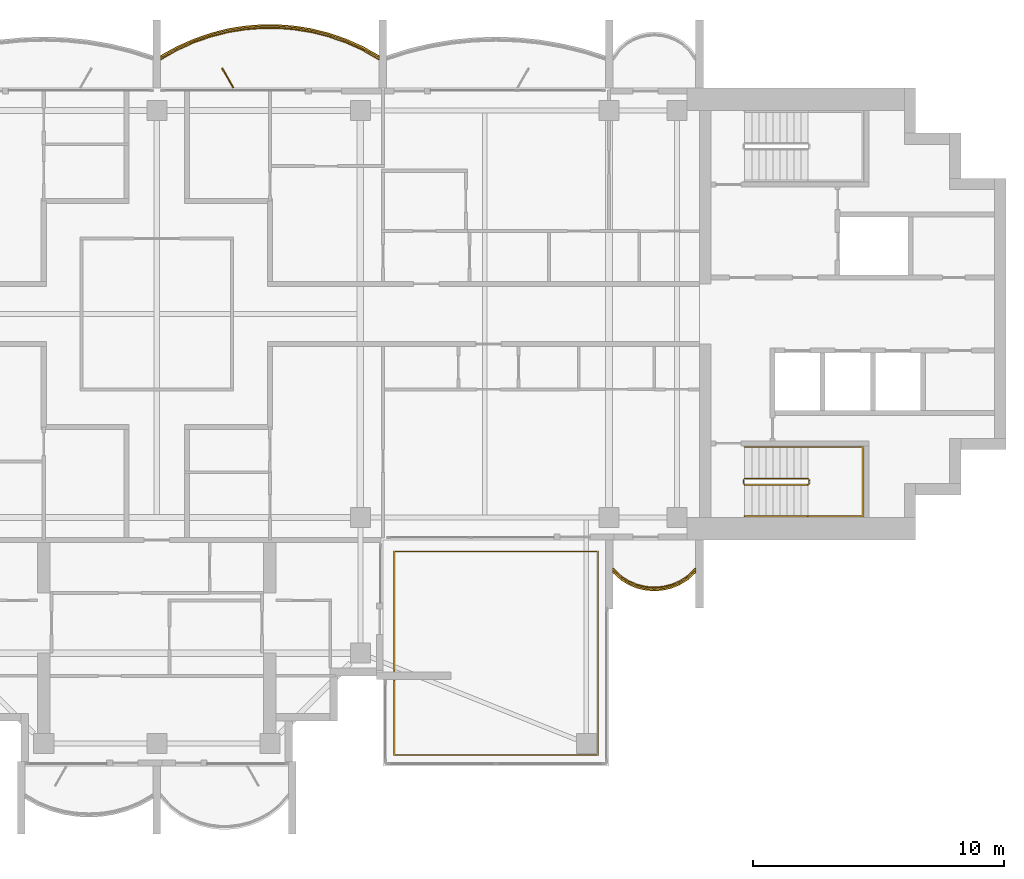
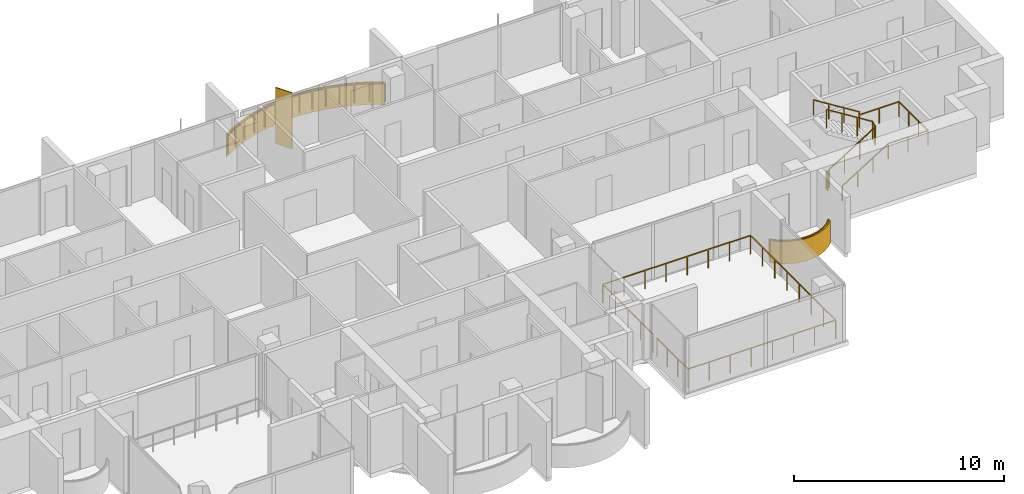
# One storey, part 15 of 16: 5 railings, 2 coverings, 1 shading device.
"""IFC4 building model written with IfcOpenShell, lengths in metres."""

from ifc_helpers import new_model, si_unit, direction, frame, origin, origin_2d, place, context, subcontext, project, spatial, polyline, rectangle, outline, extrude, material, layer, layer_set, type_object, element, save


model = new_model("IFC4")

# Units and contexts
model_context = context("Model", 3, precision=1e-05, world=origin(), true_north=direction((0.0, 1.0)))
body_context = subcontext(model_context, "Body", "Model", "MODEL_VIEW")
ifc_project = project(units=[si_unit("LENGTHUNIT", "METRE"), si_unit("AREAUNIT", "SQUARE_METRE"), si_unit("VOLUMEUNIT", "CUBIC_METRE"), si_unit("PLANEANGLEUNIT", "RADIAN"), si_unit("MASSUNIT", "GRAM", prefix="KILO")], contexts=[model_context])

# Site, building, storey
site_placement = place(None, origin())
site = spatial("IfcSite", under=ifc_project, at=site_placement, CompositionType="ELEMENT")
building_placement = place(site_placement, origin())
building = spatial("IfcBuilding", under=site, at=building_placement, Name="Perihelion Cross Residences", CompositionType="ELEMENT")
storey_placement = place(building_placement, frame((0.0, 0.0, 274.5)))
storey = spatial("IfcBuildingStorey", under=building, at=storey_placement, Name="L70", CompositionType="ELEMENT", Elevation=274.5)

# Coverings
ifc_material_1 = material(Name="Bronze anodised aluminium", Category="aluminium")
ifc_layer_1 = layer(ifc_material_1, 0.070068359375)
ifc_layer_set_1 = layer_set([ifc_layer_1], Name="Balcony fascia 1300")
covering_type = type_object("IfcCoveringType", Name="Balcony fascia 1300", PredefinedType="CLADDING", material=ifc_layer_set_1)
covering_1_placement = place(storey_placement, frame((0.0, 0.0, -0.199951171875)))
element("IfcCovering", 1, at=covering_1_placement, inside=storey, type_object=covering_type, Name="Fascia BF1 L70 north side east bay 1", PredefinedType="CLADDING", context=body_context, shape_type="SweptSolid", body=[
    extrude(outline(polyline([(8.212158203125, 10.63916015625), (7.537353515625, 10.941650390625), (6.8623046875, 11.175048828125), (6.1875, 11.345947265625), (5.512451171875, 11.457763671875), (4.83740234375, 11.51318359375), (4.16259765625, 11.51318359375), (3.487548828125, 11.457763671875), (2.8125, 11.345947265625), (2.1376953125, 11.175048828125), (1.462646484375, 10.941650390625), (0.787841796875, 10.63916015625), (0.14990234375, 10.2802734375), (0.14990234375, 10.199951171875), (0.8193359375, 10.57666015625), (1.488525390625, 10.87646484375), (2.15771484375, 11.108154296875), (2.826904296875, 11.27734375), (3.49609375, 11.38818359375), (4.165283203125, 11.443115234375), (4.834716796875, 11.443115234375), (5.50390625, 11.38818359375), (6.173095703125, 11.27734375), (6.84228515625, 11.108154296875), (7.511474609375, 10.87646484375), (8.1806640625, 10.57666015625), (8.85009765625, 10.199951171875), (8.85009765625, 10.2802734375), (8.212158203125, 10.63916015625)])), origin(), (0.0, 0.0, 1.0), 1.300048828125),
])
covering_2_placement = place(storey_placement, frame((0.0, 0.0, -0.199951171875)))
element("IfcCovering", 2, at=covering_2_placement, inside=storey, type_object=covering_type, Name="Fascia BF1 L70 east side south bay 2", PredefinedType="CLADDING", context=body_context, shape_type="SweptSolid", body=[
    extrude(outline(polyline([(18.4375, -10.56298828125), (18.778076171875, -10.77587890625), (19.11865234375, -10.914794921875), (19.45947265625, -10.994140625), (19.800048828125, -11.02001953125), (20.140625, -10.994140625), (20.481201171875, -10.914794921875), (20.82177734375, -10.77587890625), (21.16259765625, -10.56298828125), (21.449951171875, -10.295654296875), (21.449951171875, -10.199951171875), (21.1201171875, -10.507568359375), (20.7900390625, -10.71337890625), (20.4599609375, -10.84814453125), (20.1298828125, -10.925048828125), (19.800048828125, -10.949951171875), (19.469970703125, -10.925048828125), (19.139892578125, -10.84814453125), (18.81005859375, -10.71337890625), (18.47998046875, -10.507568359375), (18.14990234375, -10.199951171875), (18.14990234375, -10.295654296875), (18.4375, -10.56298828125)])), origin(), (0.0, 0.0, 1.0), 1.300048828125),
])

# Railings
ifc_material_2 = material(Name="Bronze anodised aluminium", Category="aluminium")
railing_type_1 = type_object("IfcRailingType", Name="Balcony guard 1100", PredefinedType="GUARDRAIL", material=ifc_material_2)
railing_1_placement = place(storey_placement, frame((8.824951171875, 10.139892578125, 0.0)))
element("IfcRailing", 3, at=railing_1_placement, inside=storey, type_object=railing_type_1, Name="Guard GU1 L70 north side east bay 1 balcony", PredefinedType="GUARDRAIL", context=body_context, shape_type="SweptSolid", body=[
    extrude(rectangle(XDim=0.048095703125, YDim=0.048095703125, at=origin_2d()), frame((0.0, 0.0, 1.076171875), z_axis=(-0.863125740505, 0.504989065305, 0.0), x_axis=(-0.504989065305, -0.863125740505, 0.0)), (0.0, 0.0, 1.0), 0.746337890625),
    extrude(rectangle(XDim=0.048095703125, YDim=0.048095703125, at=origin_2d()), frame((-0.644287109375, 0.376953125, 1.076171875), z_axis=(-0.912723499295, 0.408577794103, 0.0), x_axis=(-0.408577794103, -0.912723499295, 0.0)), (0.0, 0.0, 1.0), 0.733154296875),
    extrude(rectangle(XDim=0.048095703125, YDim=0.048095703125, at=origin_2d()), frame((-1.3134765625, 0.676513671875, 1.076171875), z_axis=(-0.944965577734, 0.327169767701, 0.0), x_axis=(-0.327169767701, -0.944965577734, 0.0)), (0.0, 0.0, 1.0), 0.708251953125),
    extrude(rectangle(XDim=0.048095703125, YDim=0.048095703125, at=origin_2d()), frame((-1.982666015625, 0.908203125, 1.076171875), z_axis=(-0.96949408574, 0.245114703181, 0.0), x_axis=(-0.245114703181, -0.96949408574, 0.0)), (0.0, 0.0, 1.0), 0.690185546875),
    extrude(rectangle(XDim=0.048095703125, YDim=0.048095703125, at=origin_2d()), frame((-2.65185546875, 1.077392578125, 1.076171875), z_axis=(-0.986500713816, 0.163756959061, 0.0), x_axis=(-0.163756959061, -0.986500713816, 0.0)), (0.0, 0.0, 1.0), 0.678466796875),
    extrude(rectangle(XDim=0.048095703125, YDim=0.048095703125, at=origin_2d()), frame((-3.321044921875, 1.1884765625, 1.076171875), z_axis=(-0.996677390684, 0.081450468994, 0.0), x_axis=(-0.081450468994, -0.996677390684, 0.0)), (0.0, 0.0, 1.0), 0.67138671875),
    extrude(rectangle(XDim=0.048095703125, YDim=0.048095703125, at=origin_2d()), frame((-3.990234375, 1.2431640625, 1.076171875), z_axis=(-1.0, 0.0, 0.0), x_axis=(0.0, -1.0, 0.0)), (0.0, 0.0, 1.0), 0.66943359375),
    extrude(rectangle(XDim=0.048095703125, YDim=0.048095703125, at=origin_2d()), frame((-4.65966796875, 1.2431640625, 1.076171875), z_axis=(-0.996677390684, -0.081450468994, 0.0), x_axis=(0.081450468994, -0.996677390684, 0.0)), (0.0, 0.0, 1.0), 0.67138671875),
    extrude(rectangle(XDim=0.048095703125, YDim=0.048095703125, at=origin_2d()), frame((-5.328857421875, 1.1884765625, 1.076171875), z_axis=(-0.986500713816, -0.163756959061, 0.0), x_axis=(0.163756959061, -0.986500713816, 0.0)), (0.0, 0.0, 1.0), 0.678466796875),
    extrude(rectangle(XDim=0.048095703125, YDim=0.048095703125, at=origin_2d()), frame((-5.998046875, 1.077392578125, 1.076171875), z_axis=(-0.96949408574, -0.245114703181, 0.0), x_axis=(0.245114703181, -0.96949408574, 0.0)), (0.0, 0.0, 1.0), 0.690185546875),
    extrude(rectangle(XDim=0.048095703125, YDim=0.048095703125, at=origin_2d()), frame((-6.667236328125, 0.908203125, 1.076171875), z_axis=(-0.944965577734, -0.327169767701, 0.0), x_axis=(0.327169767701, -0.944965577734, 0.0)), (0.0, 0.0, 1.0), 0.708251953125),
    extrude(rectangle(XDim=0.048095703125, YDim=0.048095703125, at=origin_2d()), frame((-7.33642578125, 0.676513671875, 1.076171875), z_axis=(-0.912723499295, -0.408577794103, 0.0), x_axis=(0.408577794103, -0.912723499295, 0.0)), (0.0, 0.0, 1.0), 0.733154296875),
    extrude(rectangle(XDim=0.048095703125, YDim=0.048095703125, at=origin_2d()), frame((-8.005615234375, 0.376953125, 1.076171875), z_axis=(-0.863125740505, -0.504989065305, 0.0), x_axis=(0.504989065305, -0.863125740505, 0.0)), (0.0, 0.0, 1.0), 0.746337890625),
    extrude(rectangle(XDim=0.0419921875, YDim=0.0419921875, at=origin_2d()), origin(), (0.0, 0.0, 1.0), 1.052001953125),
    extrude(rectangle(XDim=0.0419921875, YDim=0.0419921875, at=origin_2d()), frame((-0.644287109375, 0.376953125, 0.0)), (0.0, 0.0, 1.0), 1.052001953125),
    extrude(rectangle(XDim=0.0419921875, YDim=0.0419921875, at=origin_2d()), frame((-1.3134765625, 0.676513671875, 0.0)), (0.0, 0.0, 1.0), 1.052001953125),
    extrude(rectangle(XDim=0.0419921875, YDim=0.0419921875, at=origin_2d()), frame((-1.982666015625, 0.908203125, 0.0)), (0.0, 0.0, 1.0), 1.052001953125),
    extrude(rectangle(XDim=0.0419921875, YDim=0.0419921875, at=origin_2d()), frame((-2.65185546875, 1.077392578125, 0.0)), (0.0, 0.0, 1.0), 1.052001953125),
    extrude(rectangle(XDim=0.0419921875, YDim=0.0419921875, at=origin_2d()), frame((-3.321044921875, 1.1884765625, 0.0)), (0.0, 0.0, 1.0), 1.052001953125),
    extrude(rectangle(XDim=0.0419921875, YDim=0.0419921875, at=origin_2d()), frame((-3.990234375, 1.2431640625, 0.0)), (0.0, 0.0, 1.0), 1.052001953125),
    extrude(rectangle(XDim=0.0419921875, YDim=0.0419921875, at=origin_2d()), frame((-4.65966796875, 1.2431640625, 0.0)), (0.0, 0.0, 1.0), 1.052001953125),
    extrude(rectangle(XDim=0.0419921875, YDim=0.0419921875, at=origin_2d()), frame((-5.328857421875, 1.1884765625, 0.0)), (0.0, 0.0, 1.0), 1.052001953125),
    extrude(rectangle(XDim=0.0419921875, YDim=0.0419921875, at=origin_2d()), frame((-5.998046875, 1.077392578125, 0.0)), (0.0, 0.0, 1.0), 1.052001953125),
    extrude(rectangle(XDim=0.0419921875, YDim=0.0419921875, at=origin_2d()), frame((-6.667236328125, 0.908203125, 0.0)), (0.0, 0.0, 1.0), 1.052001953125),
    extrude(rectangle(XDim=0.0419921875, YDim=0.0419921875, at=origin_2d()), frame((-7.33642578125, 0.676513671875, 0.0)), (0.0, 0.0, 1.0), 1.052001953125),
    extrude(rectangle(XDim=0.0419921875, YDim=0.0419921875, at=origin_2d()), frame((-8.005615234375, 0.376953125, 0.0)), (0.0, 0.0, 1.0), 1.052001953125),
    extrude(rectangle(XDim=0.0419921875, YDim=0.0419921875, at=origin_2d()), frame((-8.64990234375, 0.0, 0.0)), (0.0, 0.0, 1.0), 1.052001953125),
])
railing_2_placement = place(storey_placement, frame((18.175048828125, -10.139892578125, 0.0)))
element("IfcRailing", 4, at=railing_2_placement, inside=storey, type_object=railing_type_1, Name="Guard GU1 L70 east side south bay 2 balcony", PredefinedType="GUARDRAIL", context=body_context, shape_type="SweptSolid", body=[
    extrude(rectangle(XDim=0.048095703125, YDim=0.048095703125, at=origin_2d()), frame((0.0, 0.0, 1.076171875), z_axis=(0.703999905859, -0.710200065158, 0.0), x_axis=(0.710200065158, 0.703999905859, 0.0)), (0.0, 0.0, 1.0), 0.43310546875),
    extrude(rectangle(XDim=0.048095703125, YDim=0.048095703125, at=origin_2d()), frame((0.304931640625, -0.3076171875, 1.076171875), z_axis=(0.848280173265, -0.529547682127, 0.0), x_axis=(0.529547682127, 0.848280173265, 0.0)), (0.0, 0.0, 1.0), 0.38916015625),
    extrude(rectangle(XDim=0.048095703125, YDim=0.048095703125, at=origin_2d()), frame((0.635009765625, -0.513671875, 1.076171875), z_axis=(0.925950379976, -0.377645195682, 0.0), x_axis=(0.377645195682, 0.925950379976, 0.0)), (0.0, 0.0, 1.0), 0.356201171875),
    extrude(rectangle(XDim=0.048095703125, YDim=0.048095703125, at=origin_2d()), frame((0.96484375, -0.648193359375, 1.076171875), z_axis=(0.97391554583, -0.226910796551, 0.0), x_axis=(0.226910796551, 0.97391554583, 0.0)), (0.0, 0.0, 1.0), 0.3388671875),
    extrude(rectangle(XDim=0.048095703125, YDim=0.048095703125, at=origin_2d()), frame((1.294921875, -0.72509765625, 1.076171875), z_axis=(0.997166208737, -0.075229995038, 0.0), x_axis=(0.075229995038, 0.997166208737, 0.0)), (0.0, 0.0, 1.0), 0.3310546875),
    extrude(rectangle(XDim=0.048095703125, YDim=0.048095703125, at=origin_2d()), frame((1.625, -0.75, 1.076171875), z_axis=(0.997162029931, 0.075285364214, 0.0), x_axis=(-0.075285364214, 0.997162029931, 0.0)), (0.0, 0.0, 1.0), 0.330810546875),
    extrude(rectangle(XDim=0.048095703125, YDim=0.048095703125, at=origin_2d()), frame((1.954833984375, -0.72509765625, 1.076171875), z_axis=(0.97391554583, 0.226910796551, 0.0), x_axis=(-0.226910796551, 0.97391554583, 0.0)), (0.0, 0.0, 1.0), 0.3388671875),
    extrude(rectangle(XDim=0.048095703125, YDim=0.048095703125, at=origin_2d()), frame((2.284912109375, -0.648193359375, 1.076171875), z_axis=(0.926048033295, 0.377405670374, 0.0), x_axis=(-0.377405670374, 0.926048033295, 0.0)), (0.0, 0.0, 1.0), 0.3564453125),
    extrude(rectangle(XDim=0.048095703125, YDim=0.048095703125, at=origin_2d()), frame((2.614990234375, -0.513671875, 1.076171875), z_axis=(0.848280173265, 0.529547682127, 0.0), x_axis=(-0.529547682127, 0.848280173265, 0.0)), (0.0, 0.0, 1.0), 0.38916015625),
    extrude(rectangle(XDim=0.048095703125, YDim=0.048095703125, at=origin_2d()), frame((2.945068359375, -0.3076171875, 1.076171875), z_axis=(0.703999905859, 0.710200065158, 0.0), x_axis=(-0.710200065158, 0.703999905859, 0.0)), (0.0, 0.0, 1.0), 0.43310546875),
    extrude(rectangle(XDim=0.0419921875, YDim=0.0419921875, at=origin_2d()), origin(), (0.0, 0.0, 1.0), 1.052001953125),
    extrude(rectangle(XDim=0.0419921875, YDim=0.0419921875, at=origin_2d()), frame((0.304931640625, -0.3076171875, 0.0)), (0.0, 0.0, 1.0), 1.052001953125),
    extrude(rectangle(XDim=0.0419921875, YDim=0.0419921875, at=origin_2d()), frame((0.635009765625, -0.513671875, 0.0)), (0.0, 0.0, 1.0), 1.052001953125),
    extrude(rectangle(XDim=0.0419921875, YDim=0.0419921875, at=origin_2d()), frame((0.96484375, -0.648193359375, 0.0)), (0.0, 0.0, 1.0), 1.052001953125),
    extrude(rectangle(XDim=0.0419921875, YDim=0.0419921875, at=origin_2d()), frame((1.294921875, -0.72509765625, 0.0)), (0.0, 0.0, 1.0), 1.052001953125),
    extrude(rectangle(XDim=0.0419921875, YDim=0.0419921875, at=origin_2d()), frame((1.625, -0.75, 0.0)), (0.0, 0.0, 1.0), 1.052001953125),
    extrude(rectangle(XDim=0.0419921875, YDim=0.0419921875, at=origin_2d()), frame((1.954833984375, -0.72509765625, 0.0)), (0.0, 0.0, 1.0), 1.052001953125),
    extrude(rectangle(XDim=0.0419921875, YDim=0.0419921875, at=origin_2d()), frame((2.284912109375, -0.648193359375, 0.0)), (0.0, 0.0, 1.0), 1.052001953125),
    extrude(rectangle(XDim=0.0419921875, YDim=0.0419921875, at=origin_2d()), frame((2.614990234375, -0.513671875, 0.0)), (0.0, 0.0, 1.0), 1.052001953125),
    extrude(rectangle(XDim=0.0419921875, YDim=0.0419921875, at=origin_2d()), frame((2.945068359375, -0.3076171875, 0.0)), (0.0, 0.0, 1.0), 1.052001953125),
    extrude(rectangle(XDim=0.0419921875, YDim=0.0419921875, at=origin_2d()), frame((3.25, 0.0, 0.0)), (0.0, 0.0, 1.0), 1.052001953125),
])
railing_3_placement = place(storey_placement, frame((9.449951171875, -14.2099609375, 0.0)))
element("IfcRailing", 5, at=railing_3_placement, inside=storey, type_object=railing_type_1, Name="Guard GU1 L70 pocket south-east 1", PredefinedType="GUARDRAIL", context=body_context, shape_type="SweptSolid", body=[
    extrude(rectangle(XDim=0.048095703125, YDim=0.048095703125, at=origin_2d()), frame((0.0, 0.0, 1.076171875), z_axis=(0.0, 1.0, 0.0), x_axis=(-1.0, 0.0, 0.0)), (0.0, 0.0, 1.0), 4.760009765625),
    extrude(rectangle(XDim=0.048095703125, YDim=0.048095703125, at=origin_2d()), frame((0.0, 4.760009765625, 1.076171875), z_axis=(1.0, 0.0, 0.0), x_axis=(0.0, 1.0, 0.0)), (0.0, 0.0, 1.0), 8.10009765625),
    extrude(rectangle(XDim=0.048095703125, YDim=0.048095703125, at=origin_2d()), frame((8.10009765625, 4.760009765625, 1.076171875), z_axis=(0.0, -1.0, 0.0), x_axis=(1.0, 0.0, 0.0)), (0.0, 0.0, 1.0), 8.10009765625),
    extrude(rectangle(XDim=0.048095703125, YDim=0.048095703125, at=origin_2d()), frame((8.10009765625, -3.340087890625, 1.076171875), z_axis=(-1.0, 0.0, 0.0), x_axis=(0.0, -1.0, 0.0)), (0.0, 0.0, 1.0), 8.10009765625),
    extrude(rectangle(XDim=0.048095703125, YDim=0.048095703125, at=origin_2d()), frame((0.0, -3.340087890625, 1.076171875), z_axis=(0.0, 1.0, 0.0), x_axis=(-1.0, 0.0, 0.0)), (0.0, 0.0, 1.0), 2.9599609375),
    extrude(rectangle(XDim=0.0419921875, YDim=0.0419921875, at=origin_2d()), origin(), (0.0, 0.0, 1.0), 1.052001953125),
    extrude(rectangle(XDim=0.0419921875, YDim=0.0419921875, at=origin_2d()), frame((0.0, 1.18994140625, 0.0)), (0.0, 0.0, 1.0), 1.052001953125),
    extrude(rectangle(XDim=0.0419921875, YDim=0.0419921875, at=origin_2d()), frame((0.0, 2.3798828125, 0.0)), (0.0, 0.0, 1.0), 1.052001953125),
    extrude(rectangle(XDim=0.0419921875, YDim=0.0419921875, at=origin_2d()), frame((0.0, 3.570068359375, 0.0)), (0.0, 0.0, 1.0), 1.052001953125),
    extrude(rectangle(XDim=0.0419921875, YDim=0.0419921875, at=origin_2d()), frame((0.0, 4.760009765625, 0.0)), (0.0, 0.0, 1.0), 1.052001953125),
    extrude(rectangle(XDim=0.0419921875, YDim=0.0419921875, at=origin_2d()), frame((1.1572265625, 4.760009765625, 0.0)), (0.0, 0.0, 1.0), 1.052001953125),
    extrude(rectangle(XDim=0.0419921875, YDim=0.0419921875, at=origin_2d()), frame((2.314208984375, 4.760009765625, 0.0)), (0.0, 0.0, 1.0), 1.052001953125),
    extrude(rectangle(XDim=0.0419921875, YDim=0.0419921875, at=origin_2d()), frame((3.471435546875, 4.760009765625, 0.0)), (0.0, 0.0, 1.0), 1.052001953125),
    extrude(rectangle(XDim=0.0419921875, YDim=0.0419921875, at=origin_2d()), frame((4.628662109375, 4.760009765625, 0.0)), (0.0, 0.0, 1.0), 1.052001953125),
    extrude(rectangle(XDim=0.0419921875, YDim=0.0419921875, at=origin_2d()), frame((5.785888671875, 4.760009765625, 0.0)), (0.0, 0.0, 1.0), 1.052001953125),
    extrude(rectangle(XDim=0.0419921875, YDim=0.0419921875, at=origin_2d()), frame((6.94287109375, 4.760009765625, 0.0)), (0.0, 0.0, 1.0), 1.052001953125),
    extrude(rectangle(XDim=0.0419921875, YDim=0.0419921875, at=origin_2d()), frame((8.10009765625, 4.760009765625, 0.0)), (0.0, 0.0, 1.0), 1.052001953125),
    extrude(rectangle(XDim=0.0419921875, YDim=0.0419921875, at=origin_2d()), frame((8.10009765625, 3.602783203125, 0.0)), (0.0, 0.0, 1.0), 1.052001953125),
    extrude(rectangle(XDim=0.0419921875, YDim=0.0419921875, at=origin_2d()), frame((8.10009765625, 2.44580078125, 0.0)), (0.0, 0.0, 1.0), 1.052001953125),
    extrude(rectangle(XDim=0.0419921875, YDim=0.0419921875, at=origin_2d()), frame((8.10009765625, 1.28857421875, 0.0)), (0.0, 0.0, 1.0), 1.052001953125),
    extrude(rectangle(XDim=0.0419921875, YDim=0.0419921875, at=origin_2d()), frame((8.10009765625, 0.13134765625, 0.0)), (0.0, 0.0, 1.0), 1.052001953125),
    extrude(rectangle(XDim=0.0419921875, YDim=0.0419921875, at=origin_2d()), frame((8.10009765625, -1.02587890625, 0.0)), (0.0, 0.0, 1.0), 1.052001953125),
    extrude(rectangle(XDim=0.0419921875, YDim=0.0419921875, at=origin_2d()), frame((8.10009765625, -2.182861328125, 0.0)), (0.0, 0.0, 1.0), 1.052001953125),
    extrude(rectangle(XDim=0.0419921875, YDim=0.0419921875, at=origin_2d()), frame((8.10009765625, -3.340087890625, 0.0)), (0.0, 0.0, 1.0), 1.052001953125),
    extrude(rectangle(XDim=0.0419921875, YDim=0.0419921875, at=origin_2d()), frame((6.94287109375, -3.340087890625, 0.0)), (0.0, 0.0, 1.0), 1.052001953125),
    extrude(rectangle(XDim=0.0419921875, YDim=0.0419921875, at=origin_2d()), frame((5.785888671875, -3.340087890625, 0.0)), (0.0, 0.0, 1.0), 1.052001953125),
    extrude(rectangle(XDim=0.0419921875, YDim=0.0419921875, at=origin_2d()), frame((4.628662109375, -3.340087890625, 0.0)), (0.0, 0.0, 1.0), 1.052001953125),
    extrude(rectangle(XDim=0.0419921875, YDim=0.0419921875, at=origin_2d()), frame((3.471435546875, -3.340087890625, 0.0)), (0.0, 0.0, 1.0), 1.052001953125),
    extrude(rectangle(XDim=0.0419921875, YDim=0.0419921875, at=origin_2d()), frame((2.314208984375, -3.340087890625, 0.0)), (0.0, 0.0, 1.0), 1.052001953125),
    extrude(rectangle(XDim=0.0419921875, YDim=0.0419921875, at=origin_2d()), frame((1.1572265625, -3.340087890625, 0.0)), (0.0, 0.0, 1.0), 1.052001953125),
    extrude(rectangle(XDim=0.0419921875, YDim=0.0419921875, at=origin_2d()), frame((0.0, -3.340087890625, 0.0)), (0.0, 0.0, 1.0), 1.052001953125),
    extrude(rectangle(XDim=0.0419921875, YDim=0.0419921875, at=origin_2d()), frame((0.0, -2.353515625, 0.0)), (0.0, 0.0, 1.0), 1.052001953125),
    extrude(rectangle(XDim=0.0419921875, YDim=0.0419921875, at=origin_2d()), frame((0.0, -1.36669921875, 0.0)), (0.0, 0.0, 1.0), 1.052001953125),
    extrude(rectangle(XDim=0.0419921875, YDim=0.0419921875, at=origin_2d()), frame((0.0, -0.380126953125, 0.0)), (0.0, 0.0, 1.0), 1.052001953125),
])

# Shading device
ifc_material_3 = material(Name="Bronze anodised aluminium", Category="aluminium")
ifc_layer_2 = layer(ifc_material_3, 0.050048828125)
ifc_layer_set_2 = layer_set([ifc_layer_2], Name="Bronze fin 900")
shading_device_type = type_object("IfcShadingDeviceType", Name="Bronze fin 900", PredefinedType="USERDEFINED", material=ifc_layer_set_2)
shading_device_placement = place(storey_placement, frame((2.824951171875, 9.3896484375, 0.0), z_axis=(0.0, 0.0, 1.0), x_axis=(-0.5, 0.866025403784, 0.0)))
element("IfcShadingDevice", 6, at=shading_device_placement, inside=storey, type_object=shading_device_type, Name="Fin FN1 L70 north side east bay 1", ObjectType="FIN", PredefinedType="USERDEFINED", context=body_context, shape_type="SweptSolid", body=[
    extrude(rectangle(XDim=0.89990234375, YDim=0.050048828125, at=origin_2d()), origin(), (0.0, 0.0, 1.0), 3.25),
])

# Railings
ifc_material_4 = material(Name="Stainless steel", Category="steel")
railing_type_2 = type_object("IfcRailingType", Name="Stair guard 1100", PredefinedType="GUARDRAIL", material=ifc_material_4)
railing_4_placement = place(storey_placement, frame((23.35009765625, -6.60009765625, 0.0)))
element("IfcRailing", 7, at=railing_4_placement, inside=storey, type_object=railing_type_2, Name="L70 ST-E2 stair guard 1", PredefinedType="GUARDRAIL", context=body_context, shape_type="SweptSolid", body=[
    extrude(rectangle(XDim=0.048095703125, YDim=0.048095703125, at=origin_2d()), frame((0.0, 0.0, 1.076171875), z_axis=(0.0, -1.0, 0.0), x_axis=(1.0, 0.0, 0.0)), (0.0, 0.0, 1.0), 0.14990234375),
    extrude(rectangle(XDim=0.048095703125, YDim=0.048095703125, at=origin_2d()), frame((0.0, -0.14990234375, 1.076171875), z_axis=(0.263862480399, -0.265155923931, 0.927399011991), x_axis=(0.708833529934, 0.705375805398, 0.0)), (0.0, 0.0, 1.0), 0.188720703125),
    extrude(rectangle(XDim=0.048095703125, YDim=0.048095703125, at=origin_2d()), frame((0.0498046875, -0.199951171875, 1.2509765625), z_axis=(0.848007534815, 0.0, 0.529984170421), x_axis=(0.0, 1.0, 0.0)), (0.0, 0.0, 1.0), 2.9716796875),
    extrude(rectangle(XDim=0.048095703125, YDim=0.048095703125, at=origin_2d()), frame((2.56982421875, -0.199951171875, 2.826171875), z_axis=(0.707106781187, 0.707106781187, 0.0), x_axis=(-0.707106781187, 0.707106781187, 0.0)), (0.0, 0.0, 1.0), 0.07080078125),
    extrude(rectangle(XDim=0.048095703125, YDim=0.048095703125, at=origin_2d()), frame((2.619873046875, -0.14990234375, 2.826171875), z_axis=(0.0, 1.0, 0.0), x_axis=(-1.0, 0.0, 0.0)), (0.0, 0.0, 1.0), 0.14990234375),
    extrude(rectangle(XDim=0.048095703125, YDim=0.048095703125, at=origin_2d()), frame((2.619873046875, 0.0, 2.826171875), z_axis=(-0.265065253269, 0.265065253269, 0.927081885822), x_axis=(-0.707106781187, -0.707106781187, 0.0)), (0.0, 0.0, 1.0), 0.188720703125),
    extrude(rectangle(XDim=0.048095703125, YDim=0.048095703125, at=origin_2d()), frame((2.56982421875, 0.050048828125, 3.0009765625), z_axis=(-0.848007534815, 0.0, 0.529984170421), x_axis=(0.0, -1.0, 0.0)), (0.0, 0.0, 1.0), 2.9716796875),
    extrude(rectangle(XDim=0.0419921875, YDim=0.0419921875, at=origin_2d()), origin(), (0.0, 0.0, 1.0), 1.052001953125),
    extrude(rectangle(XDim=0.0419921875, YDim=0.0419921875, at=origin_2d()), frame((0.0, -0.14990234375, 0.0)), (0.0, 0.0, 1.0), 1.052001953125),
    extrude(rectangle(XDim=0.0419921875, YDim=0.0419921875, at=origin_2d()), frame((0.0498046875, -0.199951171875, 0.175048828125)), (0.0, 0.0, 1.0), 1.052001953125),
    extrude(rectangle(XDim=0.0419921875, YDim=0.0419921875, at=origin_2d()), frame((0.889892578125, -0.199951171875, 0.699951171875)), (0.0, 0.0, 1.0), 1.052001953125),
    extrude(rectangle(XDim=0.0419921875, YDim=0.0419921875, at=origin_2d()), frame((1.729736328125, -0.199951171875, 1.22509765625)), (0.0, 0.0, 1.0), 1.052001953125),
    extrude(rectangle(XDim=0.0419921875, YDim=0.0419921875, at=origin_2d()), frame((2.56982421875, -0.199951171875, 1.75)), (0.0, 0.0, 1.0), 1.052001953125),
    extrude(rectangle(XDim=0.0419921875, YDim=0.0419921875, at=origin_2d()), frame((2.619873046875, -0.14990234375, 1.75)), (0.0, 0.0, 1.0), 1.052001953125),
    extrude(rectangle(XDim=0.0419921875, YDim=0.0419921875, at=origin_2d()), frame((2.619873046875, 0.0, 1.75)), (0.0, 0.0, 1.0), 1.052001953125),
    extrude(rectangle(XDim=0.0419921875, YDim=0.0419921875, at=origin_2d()), frame((2.56982421875, 0.050048828125, 1.925048828125)), (0.0, 0.0, 1.0), 1.052001953125),
    extrude(rectangle(XDim=0.0419921875, YDim=0.0419921875, at=origin_2d()), frame((1.729736328125, 0.050048828125, 2.449951171875)), (0.0, 0.0, 1.0), 1.052001953125),
    extrude(rectangle(XDim=0.0419921875, YDim=0.0419921875, at=origin_2d()), frame((0.889892578125, 0.050048828125, 2.97509765625)), (0.0, 0.0, 1.0), 1.052001953125),
    extrude(rectangle(XDim=0.0419921875, YDim=0.0419921875, at=origin_2d()), frame((0.0498046875, 0.050048828125, 3.5)), (0.0, 0.0, 1.0), 1.052001953125),
])
ifc_material_5 = material(Name="Stainless steel", Category="steel")
railing_type_3 = type_object("IfcRailingType", Name="Stair handrail 900", PredefinedType="HANDRAIL", material=ifc_material_5)
railing_5_placement = place(storey_placement, frame((23.39990234375, -8.050048828125, 0.175048828125)))
element("IfcRailing", 8, at=railing_5_placement, inside=storey, type_object=railing_type_3, Name="L70 ST-E2 stair handrail 1", PredefinedType="HANDRAIL", context=body_context, shape_type="SweptSolid", body=[
    extrude(rectangle(XDim=0.048095703125, YDim=0.048095703125, at=origin_2d()), frame((0.0, 0.0, 0.8759765625), z_axis=(0.848007534815, 0.0, 0.529984170421), x_axis=(0.0, 1.0, 0.0)), (0.0, 0.0, 1.0), 2.9716796875),
    extrude(rectangle(XDim=0.048095703125, YDim=0.048095703125, at=origin_2d()), frame((2.52001953125, 0.0, 2.45068359375), z_axis=(1.0, 0.0, 0.0), x_axis=(0.0, 1.0, 0.0)), (0.0, 0.0, 1.0), 2.18017578125),
    extrude(rectangle(XDim=0.048095703125, YDim=0.048095703125, at=origin_2d()), frame((4.7001953125, 0.0, 2.45068359375), z_axis=(0.0, 1.0, 0.0), x_axis=(-1.0, 0.0, 0.0)), (0.0, 0.0, 1.0), 2.75),
    extrude(rectangle(XDim=0.048095703125, YDim=0.048095703125, at=origin_2d()), frame((4.7001953125, 2.75, 2.45068359375), z_axis=(-1.0, 0.0, 0.0), x_axis=(0.0, -1.0, 0.0)), (0.0, 0.0, 1.0), 2.18017578125),
    extrude(rectangle(XDim=0.048095703125, YDim=0.048095703125, at=origin_2d()), frame((2.52001953125, 2.75, 2.45068359375), z_axis=(0.0, 0.0, 1.0), x_axis=(1.0, 0.0, 0.0)), (0.0, 0.0, 1.0), 0.175048828125),
    extrude(rectangle(XDim=0.048095703125, YDim=0.048095703125, at=origin_2d()), frame((2.52001953125, 2.75, 2.6259765625), z_axis=(-0.848007534815, 0.0, 0.529984170421), x_axis=(0.0, -1.0, 0.0)), (0.0, 0.0, 1.0), 2.9716796875),
    extrude(rectangle(XDim=0.0419921875, YDim=0.0419921875, at=origin_2d()), origin(), (0.0, 0.0, 1.0), 0.851806640625),
    extrude(rectangle(XDim=0.0419921875, YDim=0.0419921875, at=origin_2d()), frame((0.840087890625, 0.0, 0.52490234375)), (0.0, 0.0, 1.0), 0.851806640625),
    extrude(rectangle(XDim=0.0419921875, YDim=0.0419921875, at=origin_2d()), frame((1.679931640625, 0.0, 1.050048828125)), (0.0, 0.0, 1.0), 0.851806640625),
    extrude(rectangle(XDim=0.0419921875, YDim=0.0419921875, at=origin_2d()), frame((2.52001953125, 0.0, 1.574951171875)), (0.0, 0.0, 1.0), 0.851806640625),
    extrude(rectangle(XDim=0.0419921875, YDim=0.0419921875, at=origin_2d()), frame((3.610107421875, 0.0, 1.574951171875)), (0.0, 0.0, 1.0), 0.851806640625),
    extrude(rectangle(XDim=0.0419921875, YDim=0.0419921875, at=origin_2d()), frame((4.7001953125, 0.0, 1.574951171875)), (0.0, 0.0, 1.0), 0.851806640625),
    extrude(rectangle(XDim=0.0419921875, YDim=0.0419921875, at=origin_2d()), frame((4.7001953125, 0.916748046875, 1.574951171875)), (0.0, 0.0, 1.0), 0.851806640625),
    extrude(rectangle(XDim=0.0419921875, YDim=0.0419921875, at=origin_2d()), frame((4.7001953125, 1.833251953125, 1.574951171875)), (0.0, 0.0, 1.0), 0.851806640625),
    extrude(rectangle(XDim=0.0419921875, YDim=0.0419921875, at=origin_2d()), frame((4.7001953125, 2.75, 1.574951171875)), (0.0, 0.0, 1.0), 0.851806640625),
    extrude(rectangle(XDim=0.0419921875, YDim=0.0419921875, at=origin_2d()), frame((3.610107421875, 2.75, 1.574951171875)), (0.0, 0.0, 1.0), 0.851806640625),
    extrude(rectangle(XDim=0.0419921875, YDim=0.0419921875, at=origin_2d()), frame((2.52001953125, 2.75, 1.574951171875)), (0.0, 0.0, 1.0), 0.851806640625),
    extrude(rectangle(XDim=0.0419921875, YDim=0.0419921875, at=origin_2d()), frame((2.52001953125, 2.75, 1.75)), (0.0, 0.0, 1.0), 0.851806640625),
    extrude(rectangle(XDim=0.0419921875, YDim=0.0419921875, at=origin_2d()), frame((1.679931640625, 2.75, 2.27490234375)), (0.0, 0.0, 1.0), 0.851806640625),
    extrude(rectangle(XDim=0.0419921875, YDim=0.0419921875, at=origin_2d()), frame((0.840087890625, 2.75, 2.800048828125)), (0.0, 0.0, 1.0), 0.851806640625),
    extrude(rectangle(XDim=0.0419921875, YDim=0.0419921875, at=origin_2d()), frame((0.0, 2.75, 3.324951171875)), (0.0, 0.0, 1.0), 0.851806640625),
])

save(model, "model.ifc")
